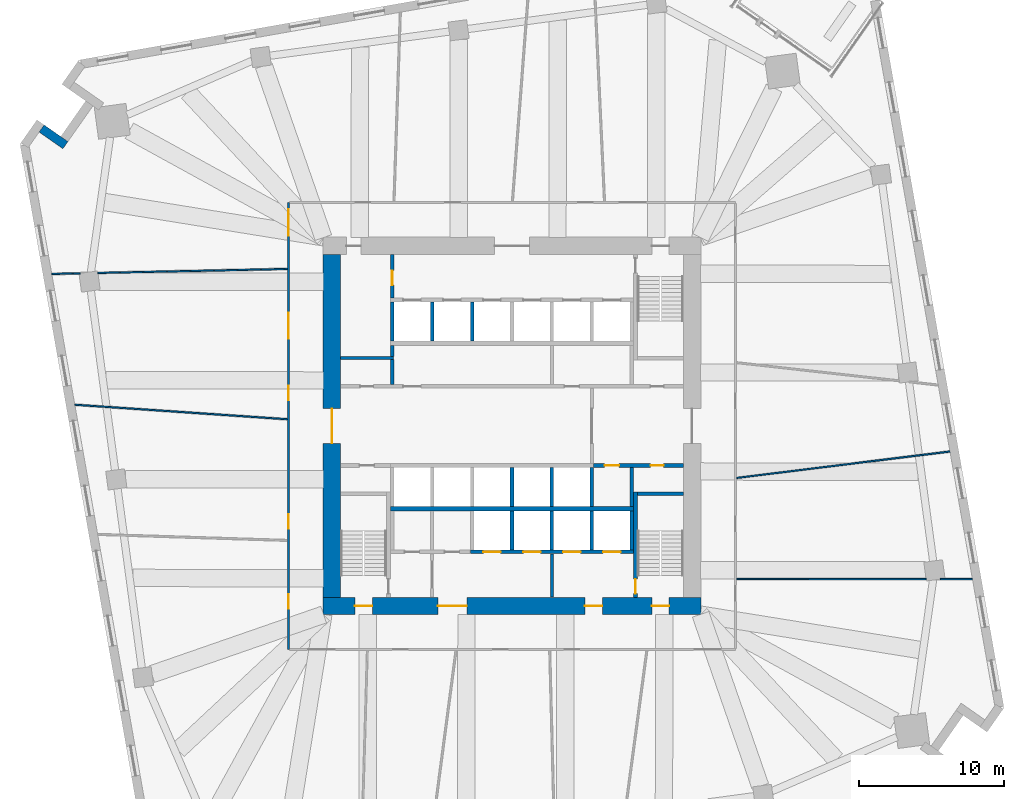
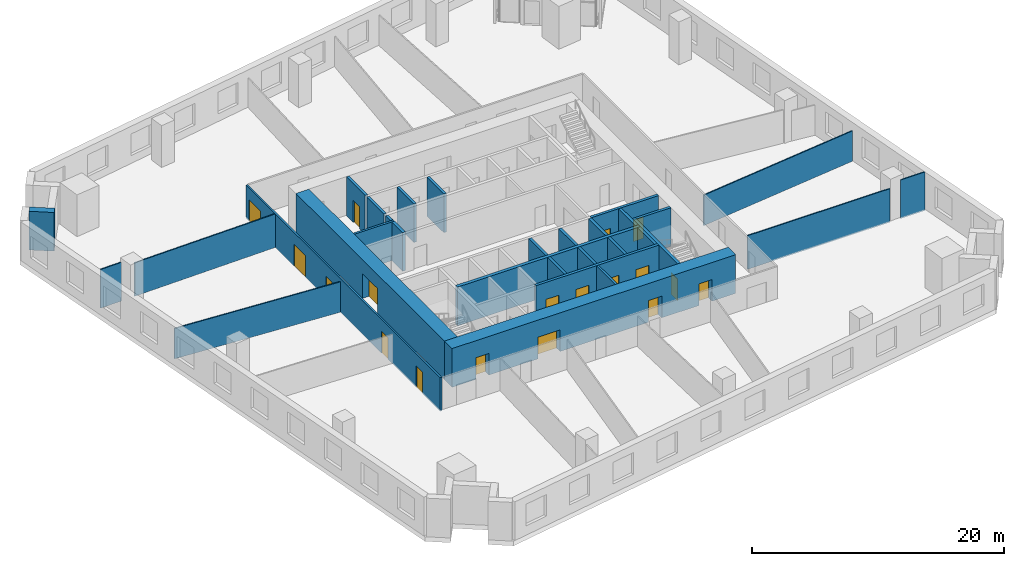
# One storey, part 5 of 10: 31 walls, 18 doors, 18 openings.
"""IFC4 building model written with IfcOpenShell, lengths in metres."""

from ifc_helpers import new_model, si_unit, direction, frame, frame_2d, origin, place, context, subcontext, project, spatial, rectangle, extrude, material, layer, layer_set, type_object, element, fill, save


model = new_model("IFC4")

# Units and contexts
model_context = context("Model", 3, precision=1e-05, world=origin(), true_north=direction((0.0, 1.0)))
body_context = subcontext(model_context, "Body", "Model", "MODEL_VIEW")
ifc_project = project(units=[si_unit("LENGTHUNIT", "METRE"), si_unit("AREAUNIT", "SQUARE_METRE"), si_unit("VOLUMEUNIT", "CUBIC_METRE"), si_unit("PLANEANGLEUNIT", "RADIAN"), si_unit("MASSUNIT", "GRAM", prefix="KILO")], contexts=[model_context])

# Site, building, storey
site_placement = place(None, origin())
site = spatial("IfcSite", under=ifc_project, at=site_placement, CompositionType="ELEMENT")
building_placement = place(site_placement, origin())
building = spatial("IfcBuilding", under=site, at=building_placement, Name="Dilmun Exchange Tower", CompositionType="ELEMENT")
storey_placement = place(building_placement, frame((0.0, 0.0, 59.699951171875)))
storey = spatial("IfcBuildingStorey", under=building, at=storey_placement, Name="L13", CompositionType="ELEMENT", Elevation=59.699951171875)

# Walls
ifc_material_1 = material(Name="Concrete C40/50", Category="concrete")
ifc_layer_1 = layer(ifc_material_1, 0.199951171875)
ifc_layer_set_1 = layer_set([ifc_layer_1], Name="Concrete C40/50")
wall_type_1 = type_object("IfcWallType", Name="Core partition wall 200", PredefinedType="PARTITIONING", material=ifc_layer_set_1)
wall_1_placement = place(storey_placement, frame((2.75, -11.794921875, 0.0), z_axis=(0.0, 0.0, 1.0), x_axis=(0.0, 1.0, 0.0)))
element("IfcWall", 1, at=wall_1_placement, inside=storey, type_object=wall_type_1, Name="L13 core partition wall 02", PredefinedType="PARTITIONING", context=body_context, shape_type="SweptSolid", body=[
    extrude(rectangle(XDim=2.989990234375, YDim=0.199951171875, at=frame_2d((1.4951171875, 0.0))), origin(), (0.0, 0.0, 1.0), 3.75),
])
wall_2_placement = place(storey_placement, frame((-11.794921875, 4.675048828125, 0.0), z_axis=(0.0, 0.0, 1.0), x_axis=(1.0, 0.0, 0.0)))
element("IfcWall", 2, at=wall_2_placement, inside=storey, type_object=wall_type_1, Name="L13 core partition wall 14", PredefinedType="PARTITIONING", context=body_context, shape_type="SweptSolid", body=[
    extrude(rectangle(XDim=3.64501953125, YDim=0.199951171875, at=frame_2d((1.822509765625, 0.0))), origin(), (0.0, 0.0, 1.0), 3.75),
])
ifc_layer_2 = layer(ifc_material_1, 0.25)
ifc_layer_set_2 = layer_set([ifc_layer_2], Name="Concrete C40/50")
wall_type_2 = type_object("IfcWallType", Name="Core partition wall 250", PredefinedType="PARTITIONING", material=ifc_layer_set_2)
wall_3_placement = place(storey_placement, frame((8.25, -5.544921875, 0.0), z_axis=(0.0, 0.0, 1.0), x_axis=(0.0, 1.0, 0.0)))
element("IfcWall", 3, at=wall_3_placement, inside=storey, type_object=wall_type_2, Name="L13 core partition wall 06", PredefinedType="PARTITIONING", context=body_context, shape_type="SweptSolid", body=[
    extrude(rectangle(XDim=2.68994140625, YDim=0.25, at=frame_2d((1.344970703125, 0.0))), origin(), (0.0, 0.0, 1.0), 3.75),
])

# Wall, openings, doors
wall_4_placement = place(storey_placement, frame((5.6298828125, -2.72509765625, 0.0), z_axis=(0.0, 0.0, 1.0), x_axis=(1.0, 0.0, 0.0)))
wall_4 = element("IfcWall", 4, at=wall_4_placement, inside=storey, type_object=wall_type_2, Name="L13 core partition wall 08", PredefinedType="PARTITIONING", context=body_context, shape_type="SweptSolid", body=[
    extrude(rectangle(XDim=6.1650390625, YDim=0.25, at=frame_2d((3.08251953125, 0.0))), origin(), (0.0, 0.0, 1.0), 3.75),
])
opening_1_placement = place(wall_4_placement, frame((0.7451171875, 0.0, 0.0)))
opening_1 = element("IfcOpeningElement", 5, at=opening_1_placement, cuts=wall_4, Name="Opening CD4", PredefinedType="OPENING", context=body_context, shape_type="SweptSolid", body=[
    extrude(rectangle(XDim=1.0, YDim=2.10009765625, at=frame_2d((0.5, 1.050048828125))), frame((0.0, 0.135009765625, 0.0), z_axis=(0.0, -1.0, 0.0), x_axis=(1.0, 0.0, 0.0)), (0.0, 0.0, 1.0), 0.27001953125),
])
opening_2_placement = place(wall_4_placement, frame((3.919921875, 0.0, 0.0)))
opening_2 = element("IfcOpeningElement", 6, at=opening_2_placement, cuts=wall_4, Name="Opening CD6", PredefinedType="OPENING", context=body_context, shape_type="SweptSolid", body=[
    extrude(rectangle(XDim=0.89990234375, YDim=2.10009765625, at=frame_2d((0.449951171875, 1.050048828125))), frame((0.0, 0.135009765625, 0.0), z_axis=(0.0, -1.0, 0.0), x_axis=(1.0, 0.0, 0.0)), (0.0, 0.0, 1.0), 0.27001953125),
])
ifc_material_2 = material(Name="Fire-rated steel door set", Category="steel")
door_type_1 = type_object("IfcDoorType", Name="Core room door 1000x2100", OperationType="SINGLE_SWING_LEFT", PredefinedType="DOOR", material=ifc_material_2)
door_1_placement = place(opening_1_placement, origin())
door_1 = element("IfcDoor", 7, at=door_1_placement, inside=storey, type_object=door_type_1, Name="L13 door Cleaners' store", OperationType="SINGLE_SWING_RIGHT", OverallHeight=2.10009765625, OverallWidth=1.0, PredefinedType="DOOR", context=body_context, shape_type="SweptSolid", body=[
    extrude(rectangle(XDim=1.0, YDim=2.10009765625, at=frame_2d((0.5, 1.050048828125))), frame((0.0, 0.02490234375, 0.0), z_axis=(0.0, -1.0, 0.0), x_axis=(1.0, 0.0, 0.0)), (0.0, 0.0, 1.0), 0.050048828125),
])
fill(opening_1, door_1)
door_type_2 = type_object("IfcDoorType", Name="Core room door 900x2100", OperationType="SINGLE_SWING_LEFT", PredefinedType="DOOR", material=ifc_material_2)
door_2_placement = place(opening_2_placement, origin())
door_2 = element("IfcDoor", 8, at=door_2_placement, inside=storey, type_object=door_type_2, Name="L13 door Comms riser", OperationType="SINGLE_SWING_RIGHT", OverallHeight=2.10009765625, OverallWidth=0.89990234375, PredefinedType="DOOR", context=body_context, shape_type="SweptSolid", body=[
    extrude(rectangle(XDim=0.89990234375, YDim=2.10009765625, at=frame_2d((0.449951171875, 1.050048828125))), frame((0.0, 0.02490234375, 0.0), z_axis=(0.0, -1.0, 0.0), x_axis=(1.0, 0.0, 0.0)), (0.0, 0.0, 1.0), 0.050048828125),
])
fill(opening_2, door_2)

# Walls
wall_5_placement = place(storey_placement, frame((-8.25, 2.85498046875, 0.0), z_axis=(0.0, 0.0, 1.0), x_axis=(0.0, 1.0, 0.0)))
element("IfcWall", 9, at=wall_5_placement, inside=storey, type_object=wall_type_2, Name="L13 core partition wall 11", PredefinedType="PARTITIONING", context=body_context, shape_type="SweptSolid", body=[
    extrude(rectangle(XDim=1.715087890625, YDim=0.25, at=frame_2d((0.857421875, 0.0))), origin(), (0.0, 0.0, 1.0), 3.75),
])
wall_6_placement = place(storey_placement, frame((-8.25, 4.780029296875, 0.0), z_axis=(0.0, 0.0, 1.0), x_axis=(0.0, 1.0, 0.0)))
element("IfcWall", 10, at=wall_6_placement, inside=storey, type_object=wall_type_2, Name="L13 core partition wall 15", PredefinedType="PARTITIONING", context=body_context, shape_type="SweptSolid", body=[
    extrude(rectangle(XDim=0.764892578125, YDim=0.25, at=frame_2d((0.38232421875, 0.0))), origin(), (0.0, 0.0, 1.0), 3.75),
])

# Wall, opening, door
wall_7_placement = place(storey_placement, frame((-8.25, 8.804931640625, 0.0), z_axis=(0.0, 0.0, 1.0), x_axis=(0.0, 1.0, 0.0)))
wall_7 = element("IfcWall", 11, at=wall_7_placement, inside=storey, type_object=wall_type_2, Name="L13 core partition wall 16", PredefinedType="PARTITIONING", context=body_context, shape_type="SweptSolid", body=[
    extrude(rectangle(XDim=2.989990234375, YDim=0.25, at=frame_2d((1.4951171875, 0.0))), origin(), (0.0, 0.0, 1.0), 3.75),
])
opening_3_placement = place(wall_7_placement, frame((0.89501953125, 0.0, 0.0)))
opening_3 = element("IfcOpeningElement", 12, at=opening_3_placement, cuts=wall_7, Name="Opening CD4", PredefinedType="OPENING", context=body_context, shape_type="SweptSolid", body=[
    extrude(rectangle(XDim=1.0, YDim=2.10009765625, at=frame_2d((0.5, 1.050048828125))), frame((0.0, 0.135009765625, 0.0), z_axis=(0.0, -1.0, 0.0), x_axis=(1.0, 0.0, 0.0)), (0.0, 0.0, 1.0), 0.27001953125),
])
door_3_placement = place(opening_3_placement, origin())
door_3 = element("IfcDoor", 13, at=door_3_placement, inside=storey, type_object=door_type_1, Name="L13 door Facilities office", OperationType="SINGLE_SWING_RIGHT", OverallHeight=2.10009765625, OverallWidth=1.0, PredefinedType="DOOR", context=body_context, shape_type="SweptSolid", body=[
    extrude(rectangle(XDim=1.0, YDim=2.10009765625, at=frame_2d((0.5, 1.050048828125))), frame((0.0, 0.02490234375, 0.0), z_axis=(0.0, -1.0, 0.0), x_axis=(1.0, 0.0, 0.0)), (0.0, 0.0, 1.0), 0.050048828125),
])
fill(opening_3, door_3)

# Wall, openings, doors
ifc_material_3 = material(Name="Concrete C80/95", Category="concrete")
ifc_layer_3 = layer(ifc_material_3, 1.199951171875)
ifc_layer_set_3 = layer_set([ifc_layer_3], Name="Concrete C80/95")
wall_type_3 = type_object("IfcWallType", Name="Core shear wall 1200 Concrete C80/95", PredefinedType="SHEAR", material=ifc_layer_set_3)
wall_8_placement = place(storey_placement, frame((-13.0, -12.39990234375, 0.0), z_axis=(0.0, 0.0, 1.0), x_axis=(1.0, 0.0, 0.0)))
wall_8 = element("IfcWall", 14, at=wall_8_placement, inside=storey, type_object=wall_type_3, Name="L13 core shear wall S", PredefinedType="SHEAR", context=body_context, shape_type="SweptSolid", body=[
    extrude(rectangle(XDim=26.0, YDim=1.199951171875, at=frame_2d((13.0, 0.0))), origin(), (0.0, 0.0, 1.0), 3.75),
])
opening_4_placement = place(wall_8_placement, frame((7.89990234375, 0.0, 0.0)))
opening_4 = element("IfcOpeningElement", 15, at=opening_4_placement, cuts=wall_8, Name="Opening CD2", PredefinedType="OPENING", context=body_context, shape_type="SweptSolid", body=[
    extrude(rectangle(XDim=2.0, YDim=2.10009765625, at=frame_2d((1.0, 1.050048828125))), frame((0.0, 0.60986328125, 0.0), z_axis=(0.0, -1.0, 0.0), x_axis=(1.0, 0.0, 0.0)), (0.0, 0.0, 1.0), 1.219970703125),
])
opening_5_placement = place(wall_8_placement, frame((18.02490234375, 0.0, 0.0)))
opening_5 = element("IfcOpeningElement", 16, at=opening_5_placement, cuts=wall_8, Name="Opening CD3", PredefinedType="OPENING", context=body_context, shape_type="SweptSolid", body=[
    extrude(rectangle(XDim=1.199951171875, YDim=2.10009765625, at=frame_2d((0.60009765625, 1.050048828125))), frame((0.0, 0.60986328125, 0.0), z_axis=(0.0, -1.0, 0.0), x_axis=(1.0, 0.0, 0.0)), (0.0, 0.0, 1.0), 1.219970703125),
])
opening_6_placement = place(wall_8_placement, frame((2.175048828125, 0.0, 0.0)))
opening_6 = element("IfcOpeningElement", 17, at=opening_6_placement, cuts=wall_8, Name="Opening CD3", PredefinedType="OPENING", context=body_context, shape_type="SweptSolid", body=[
    extrude(rectangle(XDim=1.199951171875, YDim=2.10009765625, at=frame_2d((0.60009765625, 1.050048828125))), frame((0.0, 0.60986328125, 0.0), z_axis=(0.0, -1.0, 0.0), x_axis=(1.0, 0.0, 0.0)), (0.0, 0.0, 1.0), 1.219970703125),
])
opening_7_placement = place(wall_8_placement, frame((22.625, 0.0, 0.0)))
opening_7 = element("IfcOpeningElement", 18, at=opening_7_placement, cuts=wall_8, Name="Opening CD3", PredefinedType="OPENING", context=body_context, shape_type="SweptSolid", body=[
    extrude(rectangle(XDim=1.199951171875, YDim=2.10009765625, at=frame_2d((0.60009765625, 1.050048828125))), frame((0.0, 0.60986328125, 0.0), z_axis=(0.0, -1.0, 0.0), x_axis=(1.0, 0.0, 0.0)), (0.0, 0.0, 1.0), 1.219970703125),
])
door_type_3 = type_object("IfcDoorType", Name="Core service door 2000x2100", OperationType="DOUBLE_DOOR_DOUBLE_SWING", PredefinedType="DOOR", material=ifc_material_2)
door_4_placement = place(opening_4_placement, origin())
door_4 = element("IfcDoor", 19, at=door_4_placement, inside=storey, type_object=door_type_3, Name="L13 door South service lobby", OperationType="SINGLE_SWING_LEFT", OverallHeight=2.10009765625, OverallWidth=2.0, PredefinedType="DOOR", context=body_context, shape_type="SweptSolid", body=[
    extrude(rectangle(XDim=2.0, YDim=2.10009765625, at=frame_2d((1.0, 1.050048828125))), frame((0.0, 0.02490234375, 0.0), z_axis=(0.0, -1.0, 0.0), x_axis=(1.0, 0.0, 0.0)), (0.0, 0.0, 1.0), 0.050048828125),
])
fill(opening_4, door_4)
door_type_4 = type_object("IfcDoorType", Name="Stair exit door 1200x2100", OperationType="SINGLE_SWING_LEFT", PredefinedType="DOOR", material=ifc_material_2)
door_5_placement = place(opening_5_placement, origin())
door_5 = element("IfcDoor", 20, at=door_5_placement, inside=storey, type_object=door_type_4, Name="L13 door Fire-fighting lobby", OperationType="SINGLE_SWING_LEFT", OverallHeight=2.10009765625, OverallWidth=1.199951171875, PredefinedType="DOOR", context=body_context, shape_type="SweptSolid", body=[
    extrude(rectangle(XDim=1.199951171875, YDim=2.10009765625, at=frame_2d((0.60009765625, 1.050048828125))), frame((0.0, 0.02490234375, 0.0), z_axis=(0.0, -1.0, 0.0), x_axis=(1.0, 0.0, 0.0)), (0.0, 0.0, 1.0), 0.050048828125),
])
fill(opening_5, door_5)
door_6_placement = place(opening_6_placement, origin())
door_6 = element("IfcDoor", 21, at=door_6_placement, inside=storey, type_object=door_type_4, Name="L13 door Stair ST2", OperationType="SINGLE_SWING_LEFT", OverallHeight=2.10009765625, OverallWidth=1.199951171875, PredefinedType="DOOR", context=body_context, shape_type="SweptSolid", body=[
    extrude(rectangle(XDim=1.199951171875, YDim=2.10009765625, at=frame_2d((0.60009765625, 1.050048828125))), frame((0.0, 0.02490234375, 0.0), z_axis=(0.0, -1.0, 0.0), x_axis=(1.0, 0.0, 0.0)), (0.0, 0.0, 1.0), 0.050048828125),
])
fill(opening_6, door_6)
door_7_placement = place(opening_7_placement, origin())
door_7 = element("IfcDoor", 22, at=door_7_placement, inside=storey, type_object=door_type_4, Name="L13 door Stair ST3", OperationType="SINGLE_SWING_LEFT", OverallHeight=2.10009765625, OverallWidth=1.199951171875, PredefinedType="DOOR", context=body_context, shape_type="SweptSolid", body=[
    extrude(rectangle(XDim=1.199951171875, YDim=2.10009765625, at=frame_2d((0.60009765625, 1.050048828125))), frame((0.0, 0.02490234375, 0.0), z_axis=(0.0, -1.0, 0.0), x_axis=(1.0, 0.0, 0.0)), (0.0, 0.0, 1.0), 0.050048828125),
])
fill(opening_7, door_7)

# Wall, opening, door
wall_9_placement = place(storey_placement, frame((-12.39990234375, -11.800048828125, 0.0), z_axis=(0.0, 0.0, 1.0), x_axis=(0.0, 1.0, 0.0)))
wall_9 = element("IfcWall", 23, at=wall_9_placement, inside=storey, type_object=wall_type_3, Name="L13 core shear wall W", PredefinedType="SHEAR", context=body_context, shape_type="SweptSolid", body=[
    extrude(rectangle(XDim=23.60009765625, YDim=1.199951171875, at=frame_2d((11.800048828125, 0.0))), origin(), (0.0, 0.0, 1.0), 3.75),
])
opening_8_placement = place(wall_9_placement, frame((10.60009765625, 0.0, 0.0)))
opening_8 = element("IfcOpeningElement", 24, at=opening_8_placement, cuts=wall_9, Name="Opening CD1", PredefinedType="OPENING", context=body_context, shape_type="SweptSolid", body=[
    extrude(rectangle(XDim=2.39990234375, YDim=2.39990234375, at=frame_2d((1.199951171875, 1.199951171875))), frame((0.0, 0.60986328125, 0.0), z_axis=(0.0, -1.0, 0.0), x_axis=(1.0, 0.0, 0.0)), (0.0, 0.0, 1.0), 1.219970703125),
])
door_type_5 = type_object("IfcDoorType", Name="Core lobby door 2400x2400", OperationType="DOUBLE_DOOR_DOUBLE_SWING", PredefinedType="DOOR", material=ifc_material_2)
door_8_placement = place(opening_8_placement, origin())
door_8 = element("IfcDoor", 25, at=door_8_placement, inside=storey, type_object=door_type_5, Name="L13 door Central lift lobby", OperationType="SINGLE_SWING_LEFT", OverallHeight=2.39990234375, OverallWidth=2.39990234375, PredefinedType="DOOR", context=body_context, shape_type="SweptSolid", body=[
    extrude(rectangle(XDim=2.39990234375, YDim=2.39990234375, at=frame_2d((1.199951171875, 1.199951171875))), frame((0.0, 0.02490234375, 0.0), z_axis=(0.0, -1.0, 0.0), x_axis=(1.0, 0.0, 0.0)), (0.0, 0.0, 1.0), 0.050048828125),
])
fill(opening_8, door_8)

# Wall, openings, doors
ifc_material_4 = material(Name="Corridor wall 150")
ifc_layer_4 = layer(ifc_material_4, 0.14990234375)
ifc_layer_set_4 = layer_set([ifc_layer_4], Name="Corridor wall 150")
wall_type_4 = type_object("IfcWallType", Name="Corridor wall 150", PredefinedType="PARTITIONING", material=ifc_layer_set_4)
wall_10_placement = place(storey_placement, frame((-15.39990234375, -15.39990234375, 0.0), z_axis=(0.0, 0.0, 1.0), x_axis=(0.0, 1.0, 0.0)))
wall_10 = element("IfcWall", 26, at=wall_10_placement, inside=storey, type_object=wall_type_4, Name="Corridor wall", PredefinedType="PARTITIONING", context=body_context, shape_type="SweptSolid", body=[
    extrude(rectangle(XDim=30.7998046875, YDim=0.14990234375, at=frame_2d((15.39990234375, 0.0))), origin(), (0.0, 0.0, 1.0), 3.25),
])
opening_9_placement = place(wall_10_placement, frame((21.40771484375, 0.0, 0.0)))
opening_9 = element("IfcOpeningElement", 27, at=opening_9_placement, cuts=wall_10, Name="Opening TF13-D01", PredefinedType="OPENING", context=body_context, shape_type="SweptSolid", body=[
    extrude(rectangle(XDim=1.800048828125, YDim=2.10009765625, at=frame_2d((0.89990234375, 1.050048828125))), frame((0.0, 0.0849609375, 0.0), z_axis=(0.0, -1.0, 0.0), x_axis=(1.0, 0.0, 0.0)), (0.0, 0.0, 1.0), 0.169921875),
])
opening_10_placement = place(wall_10_placement, frame((17.15771484375, 0.0, 0.0)))
opening_10 = element("IfcOpeningElement", 28, at=opening_10_placement, cuts=wall_10, Name="Opening TF13-D02", PredefinedType="OPENING", context=body_context, shape_type="SweptSolid", body=[
    extrude(rectangle(XDim=1.0, YDim=2.10009765625, at=frame_2d((0.5, 1.050048828125))), frame((0.0, 0.0849609375, 0.0), z_axis=(0.0, -1.0, 0.0), x_axis=(1.0, 0.0, 0.0)), (0.0, 0.0, 1.0), 0.169921875),
])
opening_11_placement = place(wall_10_placement, frame((8.31640625, 0.0, 0.0)))
opening_11 = element("IfcOpeningElement", 29, at=opening_11_placement, cuts=wall_10, Name="Opening TF13-D03", PredefinedType="OPENING", context=body_context, shape_type="SweptSolid", body=[
    extrude(rectangle(XDim=1.0, YDim=2.10009765625, at=frame_2d((0.5, 1.050048828125))), frame((0.0, 0.0849609375, 0.0), z_axis=(0.0, -1.0, 0.0), x_axis=(1.0, 0.0, 0.0)), (0.0, 0.0, 1.0), 0.169921875),
])
opening_12_placement = place(wall_10_placement, frame((28.516357421875, 0.0, 0.0)))
opening_12 = element("IfcOpeningElement", 30, at=opening_12_placement, cuts=wall_10, Name="Opening TF13-D04", PredefinedType="OPENING", context=body_context, shape_type="SweptSolid", body=[
    extrude(rectangle(XDim=1.800048828125, YDim=2.10009765625, at=frame_2d((0.89990234375, 1.050048828125))), frame((0.0, 0.0849609375, 0.0), z_axis=(0.0, -1.0, 0.0), x_axis=(1.0, 0.0, 0.0)), (0.0, 0.0, 1.0), 0.169921875),
])
opening_13_placement = place(wall_10_placement, frame((2.800048828125, 0.0, 0.0)))
opening_13 = element("IfcOpeningElement", 31, at=opening_13_placement, cuts=wall_10, Name="Opening TF13-D07", PredefinedType="OPENING", context=body_context, shape_type="SweptSolid", body=[
    extrude(rectangle(XDim=1.0, YDim=2.10009765625, at=frame_2d((0.5, 1.050048828125))), frame((0.0, 0.0849609375, 0.0), z_axis=(0.0, -1.0, 0.0), x_axis=(1.0, 0.0, 0.0)), (0.0, 0.0, 1.0), 0.169921875),
])
ifc_material_5 = material(Name="Fire door 1000 x 2100")
door_type_6 = type_object("IfcDoorType", Name="Fire door 1000 x 2100", OperationType="NOTDEFINED", PredefinedType="DOOR", material=ifc_material_5)
door_9_placement = place(opening_10_placement, origin())
door_9 = element("IfcDoor", 32, at=door_9_placement, inside=storey, type_object=door_type_6, Name="Door TF13-D02", OperationType="SINGLE_SWING_LEFT", OverallHeight=2.10009765625, OverallWidth=1.0, PredefinedType="DOOR", context=body_context, shape_type="SweptSolid", body=[
    extrude(rectangle(XDim=1.0, YDim=2.10009765625, at=frame_2d((0.5, 1.050048828125))), frame((0.0, 0.02490234375, 0.0), z_axis=(0.0, -1.0, 0.0), x_axis=(1.0, 0.0, 0.0)), (0.0, 0.0, 1.0), 0.050048828125),
])
fill(opening_10, door_9)
door_10_placement = place(opening_11_placement, origin())
door_10 = element("IfcDoor", 33, at=door_10_placement, inside=storey, type_object=door_type_6, Name="Door TF13-D03", OperationType="SINGLE_SWING_RIGHT", OverallHeight=2.10009765625, OverallWidth=1.0, PredefinedType="DOOR", context=body_context, shape_type="SweptSolid", body=[
    extrude(rectangle(XDim=1.0, YDim=2.10009765625, at=frame_2d((0.5, 1.050048828125))), frame((0.0, 0.02490234375, 0.0), z_axis=(0.0, -1.0, 0.0), x_axis=(1.0, 0.0, 0.0)), (0.0, 0.0, 1.0), 0.050048828125),
])
fill(opening_11, door_10)
door_11_placement = place(opening_13_placement, origin())
door_11 = element("IfcDoor", 34, at=door_11_placement, inside=storey, type_object=door_type_6, Name="Door TF13-D07", OperationType="SINGLE_SWING_RIGHT", OverallHeight=2.10009765625, OverallWidth=1.0, PredefinedType="DOOR", context=body_context, shape_type="SweptSolid", body=[
    extrude(rectangle(XDim=1.0, YDim=2.10009765625, at=frame_2d((0.5, 1.050048828125))), frame((0.0, 0.02490234375, 0.0), z_axis=(0.0, -1.0, 0.0), x_axis=(1.0, 0.0, 0.0)), (0.0, 0.0, 1.0), 0.050048828125),
])
fill(opening_13, door_11)
ifc_material_6 = material(Name="Fire door pair 1800 x 2100")
door_type_7 = type_object("IfcDoorType", Name="Fire door pair 1800 x 2100", OperationType="NOTDEFINED", PredefinedType="DOOR", material=ifc_material_6)
door_12_placement = place(opening_9_placement, origin())
door_12 = element("IfcDoor", 35, at=door_12_placement, inside=storey, type_object=door_type_7, Name="Door TF13-D01", OperationType="DOUBLE_DOOR_SINGLE_SWING", OverallHeight=2.10009765625, OverallWidth=1.800048828125, PredefinedType="DOOR", context=body_context, shape_type="SweptSolid", body=[
    extrude(rectangle(XDim=1.800048828125, YDim=2.10009765625, at=frame_2d((0.89990234375, 1.050048828125))), frame((0.0, 0.02490234375, 0.0), z_axis=(0.0, -1.0, 0.0), x_axis=(1.0, 0.0, 0.0)), (0.0, 0.0, 1.0), 0.050048828125),
])
fill(opening_9, door_12)
door_13_placement = place(opening_12_placement, origin())
door_13 = element("IfcDoor", 36, at=door_13_placement, inside=storey, type_object=door_type_7, Name="Door TF13-D04", OperationType="DOUBLE_DOOR_SINGLE_SWING", OverallHeight=2.10009765625, OverallWidth=1.800048828125, PredefinedType="DOOR", context=body_context, shape_type="SweptSolid", body=[
    extrude(rectangle(XDim=1.800048828125, YDim=2.10009765625, at=frame_2d((0.89990234375, 1.050048828125))), frame((0.0, 0.02490234375, 0.0), z_axis=(0.0, -1.0, 0.0), x_axis=(1.0, 0.0, 0.0)), (0.0, 0.0, 1.0), 0.050048828125),
])
fill(opening_12, door_13)

# Walls
ifc_layer_5 = layer(ifc_material_1, 0.300048828125)
ifc_layer_set_5 = layer_set([ifc_layer_5], Name="Concrete C40/50")
wall_type_5 = type_object("IfcWallType", Name="Lift shaft shared wall 300", PredefinedType="SOLIDWALL", material=ifc_layer_set_5)
wall_11_placement = place(storey_placement, frame((-8.375, -5.699951171875, 0.0), z_axis=(0.0, 0.0, 1.0), x_axis=(1.0, 0.0, 0.0)))
element("IfcWall", 37, at=wall_11_placement, inside=storey, type_object=wall_type_5, Name="L13 lift shaft rear wall S", PredefinedType="SOLIDWALL", context=body_context, shape_type="SweptSolid", body=[
    extrude(rectangle(XDim=16.75, YDim=0.300048828125, at=frame_2d((8.375, 0.0))), origin(), (0.0, 0.0, 1.0), 3.75),
])
ifc_layer_6 = layer(ifc_material_1, 0.25)
ifc_layer_set_6 = layer_set([ifc_layer_6], Name="Concrete C40/50")
wall_type_6 = type_object("IfcWallType", Name="Lift shaft wall 250", PredefinedType="SOLIDWALL", material=ifc_layer_set_6)
for number, where, z_axis, x_axis, name in (
    (38, (-8.25, 5.85009765625, 0.0), (0.0, 0.0, 1.0), (0.0, 1.0, 0.0), "L13 lift shaft divider N20"),
    (39, (-5.5, 5.85009765625, 0.0), (0.0, 0.0, 1.0), (0.0, 1.0, 0.0), "L13 lift shaft divider N21"),
    (40, (-2.75, 5.85009765625, 0.0), (0.0, 0.0, 1.0), (0.0, 1.0, 0.0), "L13 lift shaft divider N22"),
    (41, (0.0, -5.550048828125, 0.0), (0.0, 0.0, 1.0), (0.0, 1.0, 0.0), "L13 lift shaft divider S13"),
    (42, (2.75, -5.550048828125, 0.0), (0.0, 0.0, 1.0), (0.0, 1.0, 0.0), "L13 lift shaft divider S14"),
    (43, (5.5, -5.550048828125, 0.0), (0.0, 0.0, 1.0), (0.0, 1.0, 0.0), "L13 lift shaft divider S15"),
):
    element("IfcWall", number, at=place(storey_placement, frame(where, z_axis=z_axis, x_axis=x_axis)), inside=storey, type_object=wall_type_6, Name=name, PredefinedType="SOLIDWALL", context=body_context, shape_type="SweptSolid", body=[
        extrude(rectangle(XDim=2.699951171875, YDim=0.25, at=frame_2d((1.35009765625, 0.0))), origin(), (0.0, 0.0, 1.0), 3.75),
    ])

# Wall, openings, doors
wall_12_placement = place(storey_placement, frame((-2.875, -8.675048828125, 0.0), z_axis=(0.0, 0.0, 1.0), x_axis=(1.0, 0.0, 0.0)))
wall_12 = element("IfcWall", 44, at=wall_12_placement, inside=storey, type_object=wall_type_6, Name="L13 lift shaft front wall S2", PredefinedType="SOLIDWALL", context=body_context, shape_type="SweptSolid", body=[
    extrude(rectangle(XDim=11.25, YDim=0.25, at=frame_2d((5.625, 0.0))), origin(), (0.0, 0.0, 1.0), 3.75),
])
opening_14_placement = place(wall_12_placement, frame((0.89990234375, 0.0, 0.0)))
opening_14 = element("IfcOpeningElement", 45, at=opening_14_placement, cuts=wall_12, Name="Opening LD", PredefinedType="OPENING", context=body_context, shape_type="SweptSolid", body=[
    extrude(rectangle(XDim=1.199951171875, YDim=2.10009765625, at=frame_2d((0.60009765625, 1.050048828125))), frame((0.0, 0.135009765625, 0.0), z_axis=(0.0, -1.0, 0.0), x_axis=(1.0, 0.0, 0.0)), (0.0, 0.0, 1.0), 0.27001953125),
])
opening_15_placement = place(wall_12_placement, frame((3.64990234375, 0.0, 0.0)))
opening_15 = element("IfcOpeningElement", 46, at=opening_15_placement, cuts=wall_12, Name="Opening LD", PredefinedType="OPENING", context=body_context, shape_type="SweptSolid", body=[
    extrude(rectangle(XDim=1.199951171875, YDim=2.10009765625, at=frame_2d((0.60009765625, 1.050048828125))), frame((0.0, 0.135009765625, 0.0), z_axis=(0.0, -1.0, 0.0), x_axis=(1.0, 0.0, 0.0)), (0.0, 0.0, 1.0), 0.27001953125),
])
opening_16_placement = place(wall_12_placement, frame((6.39990234375, 0.0, 0.0)))
opening_16 = element("IfcOpeningElement", 47, at=opening_16_placement, cuts=wall_12, Name="Opening LD", PredefinedType="OPENING", context=body_context, shape_type="SweptSolid", body=[
    extrude(rectangle(XDim=1.199951171875, YDim=2.10009765625, at=frame_2d((0.60009765625, 1.050048828125))), frame((0.0, 0.135009765625, 0.0), z_axis=(0.0, -1.0, 0.0), x_axis=(1.0, 0.0, 0.0)), (0.0, 0.0, 1.0), 0.27001953125),
])
opening_17_placement = place(wall_12_placement, frame((9.14990234375, 0.0, 0.0)))
opening_17 = element("IfcOpeningElement", 48, at=opening_17_placement, cuts=wall_12, Name="Opening LD", PredefinedType="OPENING", context=body_context, shape_type="SweptSolid", body=[
    extrude(rectangle(XDim=1.199951171875, YDim=2.10009765625, at=frame_2d((0.60009765625, 1.050048828125))), frame((0.0, 0.135009765625, 0.0), z_axis=(0.0, -1.0, 0.0), x_axis=(1.0, 0.0, 0.0)), (0.0, 0.0, 1.0), 0.27001953125),
])
door_type_8 = type_object("IfcDoorType", Name="Lift landing door 1200x2100", OperationType="DOUBLE_DOOR_SLIDING", PredefinedType="DOOR", material=ifc_material_2)
door_14_placement = place(opening_14_placement, origin())
door_14 = element("IfcDoor", 49, at=door_14_placement, inside=storey, type_object=door_type_8, Name="L13 landing door SV1", OperationType="DOUBLE_DOOR_SLIDING", OverallHeight=2.10009765625, OverallWidth=1.199951171875, PredefinedType="DOOR", context=body_context, shape_type="SweptSolid", body=[
    extrude(rectangle(XDim=1.199951171875, YDim=2.10009765625, at=frame_2d((0.60009765625, 1.050048828125))), frame((0.0, 0.02490234375, 0.0), z_axis=(0.0, -1.0, 0.0), x_axis=(1.0, 0.0, 0.0)), (0.0, 0.0, 1.0), 0.050048828125),
])
fill(opening_14, door_14)
door_15_placement = place(opening_15_placement, origin())
door_15 = element("IfcDoor", 50, at=door_15_placement, inside=storey, type_object=door_type_8, Name="L13 landing door SV2", OperationType="DOUBLE_DOOR_SLIDING", OverallHeight=2.10009765625, OverallWidth=1.199951171875, PredefinedType="DOOR", context=body_context, shape_type="SweptSolid", body=[
    extrude(rectangle(XDim=1.199951171875, YDim=2.10009765625, at=frame_2d((0.60009765625, 1.050048828125))), frame((0.0, 0.02490234375, 0.0), z_axis=(0.0, -1.0, 0.0), x_axis=(1.0, 0.0, 0.0)), (0.0, 0.0, 1.0), 0.050048828125),
])
fill(opening_15, door_15)
door_16_placement = place(opening_16_placement, origin())
door_16 = element("IfcDoor", 51, at=door_16_placement, inside=storey, type_object=door_type_8, Name="L13 landing door FF1", OperationType="DOUBLE_DOOR_SLIDING", OverallHeight=2.10009765625, OverallWidth=1.199951171875, PredefinedType="DOOR", context=body_context, shape_type="SweptSolid", body=[
    extrude(rectangle(XDim=1.199951171875, YDim=2.10009765625, at=frame_2d((0.60009765625, 1.050048828125))), frame((0.0, 0.02490234375, 0.0), z_axis=(0.0, -1.0, 0.0), x_axis=(1.0, 0.0, 0.0)), (0.0, 0.0, 1.0), 0.050048828125),
])
fill(opening_16, door_16)
door_17_placement = place(opening_17_placement, origin())
door_17 = element("IfcDoor", 52, at=door_17_placement, inside=storey, type_object=door_type_8, Name="L13 landing door FF2", OperationType="DOUBLE_DOOR_SLIDING", OverallHeight=2.10009765625, OverallWidth=1.199951171875, PredefinedType="DOOR", context=body_context, shape_type="SweptSolid", body=[
    extrude(rectangle(XDim=1.199951171875, YDim=2.10009765625, at=frame_2d((0.60009765625, 1.050048828125))), frame((0.0, 0.02490234375, 0.0), z_axis=(0.0, -1.0, 0.0), x_axis=(1.0, 0.0, 0.0)), (0.0, 0.0, 1.0), 0.050048828125),
])
fill(opening_17, door_17)

# Walls
for number, where, z_axis, x_axis, name in (
    (53, (0.0, -8.550048828125, 0.0), (0.0, 0.0, 1.0), (0.0, 1.0, 0.0), "L13 lift shaft divider S23"),
    (54, (2.75, -8.550048828125, 0.0), (0.0, 0.0, 1.0), (0.0, 1.0, 0.0), "L13 lift shaft divider S24"),
    (55, (5.5, -8.550048828125, 0.0), (0.0, 0.0, 1.0), (0.0, 1.0, 0.0), "L13 lift shaft divider S25"),
    (56, (8.25, -8.550048828125, 0.0), (0.0, 0.0, 1.0), (0.0, 1.0, 0.0), "L13 lift shaft divider S26"),
):
    element("IfcWall", number, at=place(storey_placement, frame(where, z_axis=z_axis, x_axis=x_axis)), inside=storey, type_object=wall_type_6, Name=name, PredefinedType="SOLIDWALL", context=body_context, shape_type="SweptSolid", body=[
        extrude(rectangle(XDim=2.699951171875, YDim=0.25, at=frame_2d((1.35009765625, 0.0))), origin(), (0.0, 0.0, 1.0), 3.75),
    ])
ifc_material_7 = material(Name="Partition 100")
ifc_layer_7 = layer(ifc_material_7, 0.10009765625)
ifc_layer_set_7 = layer_set([ifc_layer_7], Name="Partition 100")
wall_type_7 = type_object("IfcWallType", Name="Partition 100", PredefinedType="PARTITIONING", material=ifc_layer_set_7)
wall_13_placement = place(storey_placement, frame((-31.69775390625, 10.470947265625, 0.0), z_axis=(0.0, 0.0, 1.0), x_axis=(0.999775991134, 0.021165243956, 0.0)))
element("IfcWall", 57, at=wall_13_placement, inside=storey, type_object=wall_type_7, Name="Partition", PredefinedType="PARTITIONING", context=body_context, shape_type="SweptSolid", body=[
    extrude(rectangle(XDim=1.949462890625, YDim=0.10009765625, at=frame_2d((0.974609375, 0.0))), origin(), (0.0, 0.0, 1.0), 3.75),
])
wall_14_placement = place(storey_placement, frame((-30.109619140625, 1.463623046875, 0.0), z_axis=(0.0, 0.0, 1.0), x_axis=(0.997671325377, -0.068205032957, 0.0)))
element("IfcWall", 58, at=wall_14_placement, inside=storey, type_object=wall_type_7, Name="Partition", PredefinedType="PARTITIONING", context=body_context, shape_type="SweptSolid", body=[
    extrude(rectangle(XDim=14.665283203125, YDim=0.10009765625, at=frame_2d((7.33251953125, 0.0))), origin(), (0.0, 0.0, 1.0), 2.949951171875),
])
wall_15_placement = place(storey_placement, frame((-28.517333984375, 10.53857421875, 0.0), z_axis=(0.0, 0.0, 1.0), x_axis=(0.999774736742, 0.02122441454, 0.0)))
element("IfcWall", 59, at=wall_15_placement, inside=storey, type_object=wall_type_7, Name="Partition", PredefinedType="PARTITIONING", context=body_context, shape_type="SweptSolid", body=[
    extrude(rectangle(XDim=13.044189453125, YDim=0.10009765625, at=frame_2d((6.52197265625, 0.0))), origin(), (0.0, 0.0, 1.0), 3.25),
])
wall_16_placement = place(storey_placement, frame((15.47509765625, -10.5380859375, 0.0), z_axis=(0.0, 0.0, 1.0), x_axis=(0.999999862655, -0.000524108943, 0.0)))
element("IfcWall", 60, at=wall_16_placement, inside=storey, type_object=wall_type_7, Name="Partition", PredefinedType="PARTITIONING", context=body_context, shape_type="SweptSolid", body=[
    extrude(rectangle(XDim=13.04296875, YDim=0.10009765625, at=frame_2d((6.521484375, 0.0))), origin(), (0.0, 0.0, 1.0), 3.25),
])
wall_17_placement = place(storey_placement, frame((15.481201171875, -3.576904296875, 0.0), z_axis=(0.0, 0.0, 1.0), x_axis=(0.992414130602, 0.12293979576, 0.0)))
element("IfcWall", 61, at=wall_17_placement, inside=storey, type_object=wall_type_7, Name="Partition", PredefinedType="PARTITIONING", context=body_context, shape_type="SweptSolid", body=[
    extrude(rectangle(XDim=14.792724609375, YDim=0.10009765625, at=frame_2d((7.396484375, 0.0))), origin(), (0.0, 0.0, 1.0), 2.949951171875),
])
wall_18_placement = place(storey_placement, frame((29.503173828125, -10.54541015625, 0.0), z_axis=(0.0, 0.0, 1.0), x_axis=(0.999999847177, -0.000552852636, 0.0)))
element("IfcWall", 62, at=wall_18_placement, inside=storey, type_object=wall_type_7, Name="Partition", PredefinedType="PARTITIONING", context=body_context, shape_type="SweptSolid", body=[
    extrude(rectangle(XDim=2.2080078125, YDim=0.10009765625, at=frame_2d((1.10400390625, 0.0))), origin(), (0.0, 0.0, 1.0), 3.75),
])
ifc_material_8 = material(Name="Precast concrete C50/60", Category="concrete")
ifc_layer_8 = layer(ifc_material_8, 0.60009765625)
ifc_layer_set_8 = layer_set([ifc_layer_8], Name="Precast concrete C50/60")
wall_type_8 = type_object("IfcWallType", Name="Precast stone-clad wall 600", PredefinedType="STANDARD", material=ifc_layer_set_8)
wall_19_placement = place(storey_placement, frame((-30.76025390625, 19.341064453125, 0.0), z_axis=(0.0, 0.0, 1.0), x_axis=(-0.819117203636, 0.573626190743, 0.0)))
element("IfcWall", 63, at=wall_19_placement, inside=storey, type_object=wall_type_8, Name="Facade wall L13-07", PredefinedType="STANDARD", context=body_context, shape_type="SweptSolid", body=[
    extrude(rectangle(XDim=2.0, YDim=0.60009765625, at=frame_2d((1.0, 0.0))), origin(), (0.0, 0.0, 1.0), 3.75),
])
ifc_layer_9 = layer(ifc_material_1, 0.25)
ifc_layer_set_9 = layer_set([ifc_layer_9], Name="Concrete C40/50")
wall_type_9 = type_object("IfcWallType", Name="Stair end wall 250", PredefinedType="SOLIDWALL", material=ifc_layer_set_9)
wall_20_placement = place(storey_placement, frame((8.64990234375, -4.675048828125, 0.0), z_axis=(0.0, 0.0, 1.0), x_axis=(1.0, 0.0, 0.0)))
element("IfcWall", 64, at=wall_20_placement, inside=storey, type_object=wall_type_9, Name="L13 ST3 far wall", PredefinedType="SOLIDWALL", context=body_context, shape_type="SweptSolid", body=[
    extrude(rectangle(XDim=3.150146484375, YDim=0.25, at=frame_2d((1.5751953125, 0.0))), origin(), (0.0, 0.0, 1.0), 3.75),
])

# Wall, opening, door
ifc_layer_10 = layer(ifc_material_1, 0.27490234375)
ifc_layer_set_10 = layer_set([ifc_layer_10], Name="Concrete C40/50")
wall_type_10 = type_object("IfcWallType", Name="Stair wall 275", PredefinedType="SOLIDWALL", material=ifc_layer_set_10)
wall_21_placement = place(storey_placement, frame((8.512451171875, -4.550048828125, 0.0), z_axis=(0.0, 0.0, 1.0), x_axis=(0.0, -1.0, 0.0)))
wall_21 = element("IfcWall", 65, at=wall_21_placement, inside=storey, type_object=wall_type_10, Name="L13 ST3 wall to lift block", PredefinedType="SOLIDWALL", context=body_context, shape_type="SweptSolid", body=[
    extrude(rectangle(XDim=7.25, YDim=0.27490234375, at=frame_2d((3.625, 0.0))), origin(), (0.0, 0.0, 1.0), 3.75),
])
opening_18_placement = place(wall_21_placement, frame((6.0, 0.0, 0.0)))
opening_18 = element("IfcOpeningElement", 66, at=opening_18_placement, cuts=wall_21, Name="Opening CD4", PredefinedType="OPENING", context=body_context, shape_type="SweptSolid", body=[
    extrude(rectangle(XDim=1.0, YDim=2.10009765625, at=frame_2d((0.5, 1.050048828125))), frame((0.0, 0.1474609375, 0.0), z_axis=(0.0, -1.0, 0.0), x_axis=(1.0, 0.0, 0.0)), (0.0, 0.0, 1.0), 0.294921875),
])
door_18_placement = place(opening_18_placement, origin())
door_18 = element("IfcDoor", 67, at=door_18_placement, inside=storey, type_object=door_type_1, Name="L13 door ST3 from lobby", OperationType="SINGLE_SWING_LEFT", OverallHeight=2.10009765625, OverallWidth=1.0, PredefinedType="DOOR", context=body_context, shape_type="SweptSolid", body=[
    extrude(rectangle(XDim=1.0, YDim=2.10009765625, at=frame_2d((0.5, 1.050048828125))), frame((0.0, 0.02490234375, 0.0), z_axis=(0.0, -1.0, 0.0), x_axis=(1.0, 0.0, 0.0)), (0.0, 0.0, 1.0), 0.050048828125),
])
fill(opening_18, door_18)

save(model, "model.ifc")
